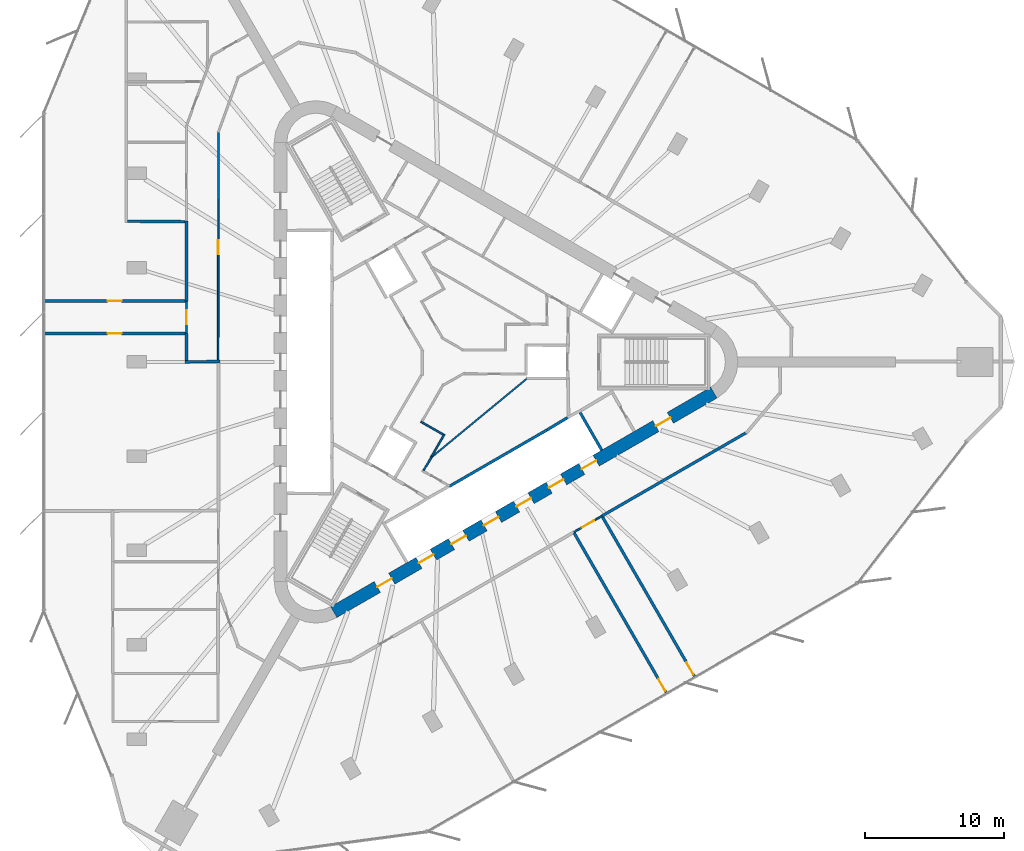
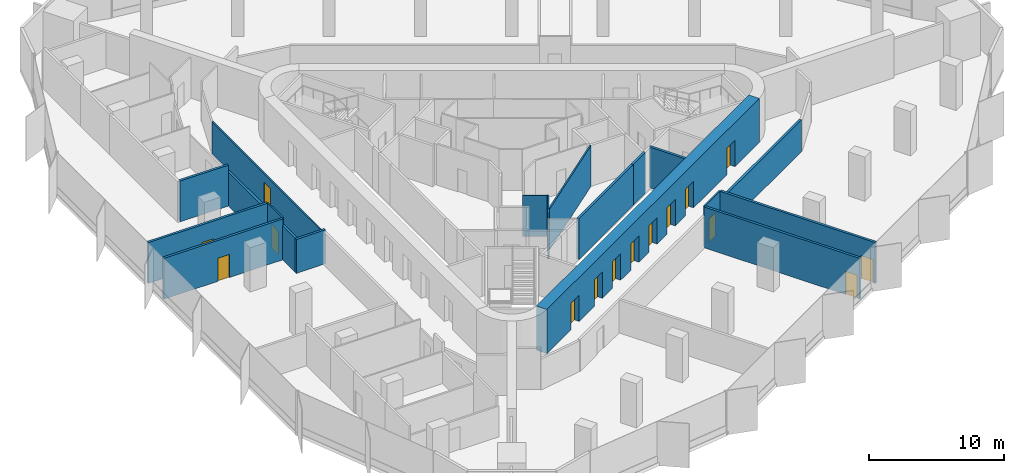
# One storey, part 9 of 14: 20 walls, 15 doors, 15 openings.
"""IFC4 building model written with IfcOpenShell, lengths in metres."""

from ifc_helpers import new_model, si_unit, direction, frame, frame_2d, origin, place, context, subcontext, project, spatial, rectangle, extrude, material, layer, layer_set, type_object, element, fill, save


model = new_model("IFC4")

# Units and contexts
model_context = context("Model", 3, precision=1e-05, world=origin(), true_north=direction((0.0, 1.0)))
body_context = subcontext(model_context, "Body", "Model", "MODEL_VIEW")
ifc_project = project(units=[si_unit("LENGTHUNIT", "METRE"), si_unit("AREAUNIT", "SQUARE_METRE"), si_unit("VOLUMEUNIT", "CUBIC_METRE"), si_unit("PLANEANGLEUNIT", "RADIAN"), si_unit("MASSUNIT", "GRAM", prefix="KILO")], contexts=[model_context])

# Site, building, storey
site_placement = place(None, origin())
site = spatial("IfcSite", under=ifc_project, at=site_placement, CompositionType="ELEMENT")
building_placement = place(site_placement, origin())
building = spatial("IfcBuilding", under=site, at=building_placement, Name="Tanit Gate Tower", CompositionType="ELEMENT")
storey_placement = place(building_placement, frame((0.0, 0.0, 229.199951171875)))
storey = spatial("IfcBuildingStorey", under=building, at=storey_placement, Name="L51", CompositionType="ELEMENT", Elevation=229.199951171875)

# Wall, openings, doors
ifc_material_1 = material(Name="Concrete C50/60", Category="concrete")
ifc_layer_1 = layer(ifc_material_1, 0.89990234375)
ifc_layer_set_1 = layer_set([ifc_layer_1], Name="CORE WALL 900 C50/60")
wall_type_1 = type_object("IfcWallType", Name="CORE WALL 900 C50/60", PredefinedType="SHEAR", material=ifc_layer_set_1)
wall_1_placement = place(storey_placement, frame((-7.824951171875, -17.969970703125, 0.0), z_axis=(0.0, 0.0, 1.0), x_axis=(0.866028369851, 0.499994862586, 0.0)))
wall_1 = element("IfcWall", 1, at=wall_1_placement, inside=storey, type_object=wall_type_1, Name="CORE WALL", PredefinedType="SHEAR", context=body_context, shape_type="SweptSolid", body=[
    extrude(rectangle(XDim=31.523193359375, YDim=0.89990234375, at=frame_2d((15.76171875, 0.0))), origin(), (0.0, 0.0, 1.0), 4.0),
])
opening_1_placement = place(wall_1_placement, frame((7.061767578125, 0.0, 0.0)))
opening_1 = element("IfcOpeningElement", 2, at=opening_1_placement, cuts=wall_1, Name="Opening LDSX1-S14", PredefinedType="OPENING", context=body_context, shape_type="SweptSolid", body=[
    extrude(rectangle(XDim=1.199951171875, YDim=2.39990234375, at=frame_2d((0.60009765625, 1.199951171875))), frame((0.0, 0.4599609375, 0.0), z_axis=(0.0, -1.0, 0.0), x_axis=(1.0, 0.0, 0.0)), (0.0, 0.0, 1.0), 0.919921875),
])
opening_2_placement = place(wall_1_placement, frame((9.76171875, 0.0, 0.0)))
opening_2 = element("IfcOpeningElement", 3, at=opening_2_placement, cuts=wall_1, Name="Opening LDSX2-S14", PredefinedType="OPENING", context=body_context, shape_type="SweptSolid", body=[
    extrude(rectangle(XDim=1.199951171875, YDim=2.39990234375, at=frame_2d((0.60009765625, 1.199951171875))), frame((0.0, 0.4599609375, 0.0), z_axis=(0.0, -1.0, 0.0), x_axis=(1.0, 0.0, 0.0)), (0.0, 0.0, 1.0), 0.919921875),
])
opening_3_placement = place(wall_1_placement, frame((12.461669921875, 0.0, 0.0)))
opening_3 = element("IfcOpeningElement", 4, at=opening_3_placement, cuts=wall_1, Name="Opening LDSX3-S14", PredefinedType="OPENING", context=body_context, shape_type="SweptSolid", body=[
    extrude(rectangle(XDim=1.199951171875, YDim=2.39990234375, at=frame_2d((0.60009765625, 1.199951171875))), frame((0.0, 0.4599609375, 0.0), z_axis=(0.0, -1.0, 0.0), x_axis=(1.0, 0.0, 0.0)), (0.0, 0.0, 1.0), 0.919921875),
])
opening_4_placement = place(wall_1_placement, frame((15.16162109375, 0.0, 0.0)))
opening_4 = element("IfcOpeningElement", 5, at=opening_4_placement, cuts=wall_1, Name="Opening LDSX4-S14", PredefinedType="OPENING", context=body_context, shape_type="SweptSolid", body=[
    extrude(rectangle(XDim=1.199951171875, YDim=2.39990234375, at=frame_2d((0.60009765625, 1.199951171875))), frame((0.0, 0.4599609375, 0.0), z_axis=(0.0, -1.0, 0.0), x_axis=(1.0, 0.0, 0.0)), (0.0, 0.0, 1.0), 0.919921875),
])
opening_5_placement = place(wall_1_placement, frame((17.861572265625, 0.0, 0.0)))
opening_5 = element("IfcOpeningElement", 6, at=opening_5_placement, cuts=wall_1, Name="Opening LDSV1-S14", PredefinedType="OPENING", context=body_context, shape_type="SweptSolid", body=[
    extrude(rectangle(XDim=1.199951171875, YDim=2.39990234375, at=frame_2d((0.60009765625, 1.199951171875))), frame((0.0, 0.4599609375, 0.0), z_axis=(0.0, -1.0, 0.0), x_axis=(1.0, 0.0, 0.0)), (0.0, 0.0, 1.0), 0.919921875),
])
opening_6_placement = place(wall_1_placement, frame((20.561767578125, 0.0, 0.0)))
opening_6 = element("IfcOpeningElement", 7, at=opening_6_placement, cuts=wall_1, Name="Opening LDSV2-S14", PredefinedType="OPENING", context=body_context, shape_type="SweptSolid", body=[
    extrude(rectangle(XDim=1.199951171875, YDim=2.39990234375, at=frame_2d((0.60009765625, 1.199951171875))), frame((0.0, 0.4599609375, 0.0), z_axis=(0.0, -1.0, 0.0), x_axis=(1.0, 0.0, 0.0)), (0.0, 0.0, 1.0), 0.919921875),
])
opening_7_placement = place(wall_1_placement, frame((26.711669921875, 0.0, 0.0)))
opening_7 = element("IfcOpeningElement", 8, at=opening_7_placement, cuts=wall_1, Name="Opening F12-S14-S1", PredefinedType="OPENING", context=body_context, shape_type="SweptSolid", body=[
    extrude(rectangle(XDim=1.199951171875, YDim=2.39990234375, at=frame_2d((0.60009765625, 1.199951171875))), frame((0.0, 0.4599609375, 0.0), z_axis=(0.0, -1.0, 0.0), x_axis=(1.0, 0.0, 0.0)), (0.0, 0.0, 1.0), 0.919921875),
])
opening_8_placement = place(wall_1_placement, frame((3.611572265625, 0.0, 0.0)))
opening_8 = element("IfcOpeningElement", 9, at=opening_8_placement, cuts=wall_1, Name="Opening F12-S14-FL3", PredefinedType="OPENING", context=body_context, shape_type="SweptSolid", body=[
    extrude(rectangle(XDim=1.199951171875, YDim=2.39990234375, at=frame_2d((0.60009765625, 1.199951171875))), frame((0.0, 0.4599609375, 0.0), z_axis=(0.0, -1.0, 0.0), x_axis=(1.0, 0.0, 0.0)), (0.0, 0.0, 1.0), 0.919921875),
])
ifc_material_2 = material(Name="Fire-rated steel door leaf", Category="steel")
door_type_1 = type_object("IfcDoorType", Name="INT-DOOR-FIRE-LOBBY-1200", OperationType="NOTDEFINED", PredefinedType="USERDEFINED", material=ifc_material_2)
door_1_placement = place(opening_7_placement, origin())
door_1 = element("IfcDoor", 10, at=door_1_placement, inside=storey, type_object=door_type_1, Name="Door F12-S14-S1", ObjectType="FIRE DOOR", OperationType="SINGLE_SWING_RIGHT", OverallHeight=2.39990234375, OverallWidth=1.199951171875, PredefinedType="USERDEFINED", context=body_context, shape_type="SweptSolid", body=[
    extrude(rectangle(XDim=1.199951171875, YDim=2.39990234375, at=frame_2d((0.60009765625, 1.199951171875))), frame((0.0, 0.02490234375, 0.0), z_axis=(0.0, -1.0, 0.0), x_axis=(1.0, 0.0, 0.0)), (0.0, 0.0, 1.0), 0.050048828125),
])
fill(opening_7, door_1)
door_2_placement = place(opening_8_placement, origin())
door_2 = element("IfcDoor", 11, at=door_2_placement, inside=storey, type_object=door_type_1, Name="Door F12-S14-FL3", ObjectType="FIRE DOOR", OperationType="SINGLE_SWING_RIGHT", OverallHeight=2.39990234375, OverallWidth=1.199951171875, PredefinedType="USERDEFINED", context=body_context, shape_type="SweptSolid", body=[
    extrude(rectangle(XDim=1.199951171875, YDim=2.39990234375, at=frame_2d((0.60009765625, 1.199951171875))), frame((0.0, 0.02490234375, 0.0), z_axis=(0.0, -1.0, 0.0), x_axis=(1.0, 0.0, 0.0)), (0.0, 0.0, 1.0), 0.050048828125),
])
fill(opening_8, door_2)
ifc_material_3 = material(Name="Stainless steel sliding door leaf", Category="steel")
door_type_2 = type_object("IfcDoorType", Name="INT-DOOR-LANDING-1200", OperationType="NOTDEFINED", PredefinedType="USERDEFINED", material=ifc_material_3)
door_3_placement = place(opening_1_placement, origin())
door_3 = element("IfcDoor", 12, at=door_3_placement, inside=storey, type_object=door_type_2, Name="Door LDSX1-S14", ObjectType="LANDING DOOR", OperationType="SLIDING_TO_LEFT", OverallHeight=2.39990234375, OverallWidth=1.199951171875, PredefinedType="USERDEFINED", context=body_context, shape_type="SweptSolid", body=[
    extrude(rectangle(XDim=1.199951171875, YDim=2.39990234375, at=frame_2d((0.60009765625, 1.199951171875))), frame((0.0, 0.02490234375, 0.0), z_axis=(0.0, -1.0, 0.0), x_axis=(1.0, 0.0, 0.0)), (0.0, 0.0, 1.0), 0.050048828125),
])
fill(opening_1, door_3)
door_4_placement = place(opening_2_placement, origin())
door_4 = element("IfcDoor", 13, at=door_4_placement, inside=storey, type_object=door_type_2, Name="Door LDSX2-S14", ObjectType="LANDING DOOR", OperationType="SLIDING_TO_LEFT", OverallHeight=2.39990234375, OverallWidth=1.199951171875, PredefinedType="USERDEFINED", context=body_context, shape_type="SweptSolid", body=[
    extrude(rectangle(XDim=1.199951171875, YDim=2.39990234375, at=frame_2d((0.60009765625, 1.199951171875))), frame((0.0, 0.02490234375, 0.0), z_axis=(0.0, -1.0, 0.0), x_axis=(1.0, 0.0, 0.0)), (0.0, 0.0, 1.0), 0.050048828125),
])
fill(opening_2, door_4)
door_5_placement = place(opening_3_placement, origin())
door_5 = element("IfcDoor", 14, at=door_5_placement, inside=storey, type_object=door_type_2, Name="Door LDSX3-S14", ObjectType="LANDING DOOR", OperationType="SLIDING_TO_LEFT", OverallHeight=2.39990234375, OverallWidth=1.199951171875, PredefinedType="USERDEFINED", context=body_context, shape_type="SweptSolid", body=[
    extrude(rectangle(XDim=1.199951171875, YDim=2.39990234375, at=frame_2d((0.60009765625, 1.199951171875))), frame((0.0, 0.02490234375, 0.0), z_axis=(0.0, -1.0, 0.0), x_axis=(1.0, 0.0, 0.0)), (0.0, 0.0, 1.0), 0.050048828125),
])
fill(opening_3, door_5)
door_6_placement = place(opening_4_placement, origin())
door_6 = element("IfcDoor", 15, at=door_6_placement, inside=storey, type_object=door_type_2, Name="Door LDSX4-S14", ObjectType="LANDING DOOR", OperationType="SLIDING_TO_LEFT", OverallHeight=2.39990234375, OverallWidth=1.199951171875, PredefinedType="USERDEFINED", context=body_context, shape_type="SweptSolid", body=[
    extrude(rectangle(XDim=1.199951171875, YDim=2.39990234375, at=frame_2d((0.60009765625, 1.199951171875))), frame((0.0, 0.02490234375, 0.0), z_axis=(0.0, -1.0, 0.0), x_axis=(1.0, 0.0, 0.0)), (0.0, 0.0, 1.0), 0.050048828125),
])
fill(opening_4, door_6)
door_7_placement = place(opening_5_placement, origin())
door_7 = element("IfcDoor", 16, at=door_7_placement, inside=storey, type_object=door_type_2, Name="Door LDSV1-S14", ObjectType="LANDING DOOR", OperationType="SLIDING_TO_LEFT", OverallHeight=2.39990234375, OverallWidth=1.199951171875, PredefinedType="USERDEFINED", context=body_context, shape_type="SweptSolid", body=[
    extrude(rectangle(XDim=1.199951171875, YDim=2.39990234375, at=frame_2d((0.60009765625, 1.199951171875))), frame((0.0, 0.02490234375, 0.0), z_axis=(0.0, -1.0, 0.0), x_axis=(1.0, 0.0, 0.0)), (0.0, 0.0, 1.0), 0.050048828125),
])
fill(opening_5, door_7)
door_8_placement = place(opening_6_placement, origin())
door_8 = element("IfcDoor", 17, at=door_8_placement, inside=storey, type_object=door_type_2, Name="Door LDSV2-S14", ObjectType="LANDING DOOR", OperationType="SLIDING_TO_LEFT", OverallHeight=2.39990234375, OverallWidth=1.199951171875, PredefinedType="USERDEFINED", context=body_context, shape_type="SweptSolid", body=[
    extrude(rectangle(XDim=1.199951171875, YDim=2.39990234375, at=frame_2d((0.60009765625, 1.199951171875))), frame((0.0, 0.02490234375, 0.0), z_axis=(0.0, -1.0, 0.0), x_axis=(1.0, 0.0, 0.0)), (0.0, 0.0, 1.0), 0.050048828125),
])
fill(opening_6, door_8)

# Walls
ifc_material_4 = material(Name="Fire-rated gypsum board partition")
ifc_layer_2 = layer(ifc_material_4, 0.199951171875)
ifc_layer_set_2 = layer_set([ifc_layer_2], Name="INT-WALL-COMPARTMENT")
wall_type_2 = type_object("IfcWallType", Name="INT-WALL-COMPARTMENT", PredefinedType="PARTITIONING", material=ifc_layer_set_2)
wall_2_placement = place(storey_placement, frame((-18.5, -0.001220703125, 0.0), z_axis=(0.0, 0.0, 1.0), x_axis=(0.999915662945, 0.012987185857, 0.0)))
element("IfcWall", 18, at=wall_2_placement, inside=storey, type_object=wall_type_2, Name="Wall Compartment W094", PredefinedType="PARTITIONING", context=body_context, shape_type="SweptSolid", body=[
    extrude(rectangle(XDim=2.500244140625, YDim=0.199951171875, at=frame_2d((1.25, 0.0))), origin(), (0.0, 0.0, 1.0), 3.070068359375),
])
wall_3_placement = place(storey_placement, frame((-18.39990234375, 10.1298828125, 0.0), z_axis=(0.0, 0.0, 1.0), x_axis=(0.0, -1.0, 0.0)))
element("IfcWall", 19, at=wall_3_placement, inside=storey, type_object=wall_type_2, Name="Wall Compartment W096", PredefinedType="PARTITIONING", context=body_context, shape_type="SweptSolid", body=[
    extrude(rectangle(XDim=5.77978515625, YDim=0.199951171875, at=frame_2d((2.889892578125, 0.0))), origin(), (0.0, 0.0, 1.0), 3.070068359375),
])
wall_4_placement = place(storey_placement, frame((-18.39990234375, 2.050048828125, 0.0), z_axis=(0.0, 0.0, 1.0), x_axis=(0.0, -1.0, 0.0)))
element("IfcWall", 20, at=wall_4_placement, inside=storey, type_object=wall_type_2, Name="Wall Compartment W095", PredefinedType="PARTITIONING", context=body_context, shape_type="SweptSolid", body=[
    extrude(rectangle(XDim=1.949951171875, YDim=0.199951171875, at=frame_2d((0.97509765625, 0.0))), origin(), (0.0, 0.0, 1.0), 3.070068359375),
])
wall_5_placement = place(storey_placement, frame((11.417236328125, -11.0751953125, 0.0), z_axis=(0.0, 0.0, 1.0), x_axis=(0.866027793211, 0.49999586137, 0.0)))
element("IfcWall", 21, at=wall_5_placement, inside=storey, type_object=wall_type_2, Name="Wall Compartment W118", PredefinedType="PARTITIONING", context=body_context, shape_type="SweptSolid", body=[
    extrude(rectangle(XDim=11.955078125, YDim=0.199951171875, at=frame_2d((5.9775390625, 0.0))), origin(), (0.0, 0.0, 1.0), 2.880126953125),
])

# Wall, opening, door
wall_6_placement = place(storey_placement, frame((-28.6552734375, 2.030029296875, 0.0), z_axis=(0.0, 0.0, 1.0), x_axis=(1.0, 0.0, 0.0)))
wall_6 = element("IfcWall", 22, at=wall_6_placement, inside=storey, type_object=wall_type_2, Name="Wall Compartment W123", PredefinedType="PARTITIONING", context=body_context, shape_type="SweptSolid", body=[
    extrude(rectangle(XDim=10.1953125, YDim=0.199951171875, at=frame_2d((5.09765625, 0.0))), origin(), (0.0, 0.0, 1.0), 3.699951171875),
])
opening_9_placement = place(wall_6_placement, frame((4.59765625, 0.0, 0.0)))
opening_9 = element("IfcOpeningElement", 23, at=opening_9_placement, cuts=wall_6, Name="Opening F10-S14-32", PredefinedType="OPENING", context=body_context, shape_type="SweptSolid", body=[
    extrude(rectangle(XDim=1.0, YDim=2.10009765625, at=frame_2d((0.5, 1.050048828125))), frame((0.0, 0.10986328125, 0.0), z_axis=(0.0, -1.0, 0.0), x_axis=(1.0, 0.0, 0.0)), (0.0, 0.0, 1.0), 0.219970703125),
])
ifc_material_5 = material(Name="Fire-rated steel door leaf", Category="steel")
door_type_3 = type_object("IfcDoorType", Name="INT-DOOR-FIRE-1000", OperationType="NOTDEFINED", PredefinedType="USERDEFINED", material=ifc_material_5)
door_9_placement = place(opening_9_placement, origin())
door_9 = element("IfcDoor", 24, at=door_9_placement, inside=storey, type_object=door_type_3, Name="Door F10-S14-32", ObjectType="FIRE DOOR", OperationType="SINGLE_SWING_LEFT", OverallHeight=2.10009765625, OverallWidth=1.0, PredefinedType="USERDEFINED", context=body_context, shape_type="SweptSolid", body=[
    extrude(rectangle(XDim=1.0, YDim=2.10009765625, at=frame_2d((0.5, 1.050048828125))), frame((0.0, 0.02490234375, 0.0), z_axis=(0.0, -1.0, 0.0), x_axis=(1.0, 0.0, 0.0)), (0.0, 0.0, 1.0), 0.050048828125),
])
fill(opening_9, door_9)

wall_7_placement = place(storey_placement, frame((-18.4599609375, 4.3701171875, 0.0), z_axis=(0.0, 0.0, 1.0), x_axis=(-1.0, 0.0, 0.0)))
wall_7 = element("IfcWall", 25, at=wall_7_placement, inside=storey, type_object=wall_type_2, Name="Wall Compartment W124", PredefinedType="PARTITIONING", context=body_context, shape_type="SweptSolid", body=[
    extrude(rectangle(XDim=10.195556640625, YDim=0.199951171875, at=frame_2d((5.09765625, 0.0))), origin(), (0.0, 0.0, 1.0), 3.699951171875),
])
opening_10_placement = place(wall_7_placement, frame((4.59765625, 0.0, 0.0)))
opening_10 = element("IfcOpeningElement", 26, at=opening_10_placement, cuts=wall_7, Name="Opening F10-S14-33", PredefinedType="OPENING", context=body_context, shape_type="SweptSolid", body=[
    extrude(rectangle(XDim=1.0, YDim=2.10009765625, at=frame_2d((0.5, 1.050048828125))), frame((0.0, 0.10986328125, 0.0), z_axis=(0.0, -1.0, 0.0), x_axis=(1.0, 0.0, 0.0)), (0.0, 0.0, 1.0), 0.219970703125),
])
door_10_placement = place(opening_10_placement, origin())
door_10 = element("IfcDoor", 27, at=door_10_placement, inside=storey, type_object=door_type_3, Name="Door F10-S14-33", ObjectType="FIRE DOOR", OperationType="SINGLE_SWING_RIGHT", OverallHeight=2.10009765625, OverallWidth=1.0, PredefinedType="USERDEFINED", context=body_context, shape_type="SweptSolid", body=[
    extrude(rectangle(XDim=1.0, YDim=2.10009765625, at=frame_2d((0.5, 1.050048828125))), frame((0.0, 0.02490234375, 0.0), z_axis=(0.0, -1.0, 0.0), x_axis=(1.0, 0.0, 0.0)), (0.0, 0.0, 1.0), 0.050048828125),
])
fill(opening_10, door_10)

# Wall
wall_8_placement = place(storey_placement, frame((-22.6298828125, 10.099365234375, 0.0), z_axis=(0.0, 0.0, 1.0), x_axis=(0.999976081673, -0.006916363298, 0.0)))
element("IfcWall", 28, at=wall_8_placement, inside=storey, type_object=wall_type_2, Name="Wall Compartment W140", PredefinedType="PARTITIONING", context=body_context, shape_type="SweptSolid", body=[
    extrude(rectangle(XDim=4.1298828125, YDim=0.199951171875, at=frame_2d((2.06494140625, 0.0))), origin(), (0.0, 0.0, 1.0), 3.699951171875),
])

# Wall, opening, door
wall_9_placement = place(storey_placement, frame((18.11181640625, -22.630859375, 0.0), z_axis=(0.0, 0.0, 1.0), x_axis=(-0.499988448798, 0.866032072771, 0.0)))
wall_9 = element("IfcWall", 29, at=wall_9_placement, inside=storey, type_object=wall_type_2, Name="Wall Compartment W150", PredefinedType="PARTITIONING", context=body_context, shape_type="SweptSolid", body=[
    extrude(rectangle(XDim=13.294677734375, YDim=0.199951171875, at=frame_2d((6.6474609375, 0.0))), origin(), (0.0, 0.0, 1.0), 3.699951171875),
])
opening_11_placement = place(wall_9_placement, frame((0.199951171875, 0.0, 0.0)))
opening_11 = element("IfcOpeningElement", 30, at=opening_11_placement, cuts=wall_9, Name="Opening F10-S14-36", PredefinedType="OPENING", context=body_context, shape_type="SweptSolid", body=[
    extrude(rectangle(XDim=1.0, YDim=2.10009765625, at=frame_2d((0.5, 1.050048828125))), frame((0.0, 0.10986328125, 0.0), z_axis=(0.0, -1.0, 0.0), x_axis=(1.0, 0.0, 0.0)), (0.0, 0.0, 1.0), 0.219970703125),
])
door_11_placement = place(opening_11_placement, origin())
door_11 = element("IfcDoor", 31, at=door_11_placement, inside=storey, type_object=door_type_3, Name="Door F10-S14-36", ObjectType="FIRE DOOR", OperationType="SINGLE_SWING_LEFT", OverallHeight=2.10009765625, OverallWidth=1.0, PredefinedType="USERDEFINED", context=body_context, shape_type="SweptSolid", body=[
    extrude(rectangle(XDim=1.0, YDim=2.10009765625, at=frame_2d((0.5, 1.050048828125))), frame((0.0, 0.02490234375, 0.0), z_axis=(0.0, -1.0, 0.0), x_axis=(1.0, 0.0, 0.0)), (0.0, 0.0, 1.0), 0.050048828125),
])
fill(opening_11, door_11)

wall_10_placement = place(storey_placement, frame((9.43798828125, -12.287109375, 0.0), z_axis=(0.0, 0.0, 1.0), x_axis=(0.499994270035, -0.866028711956, 0.0)))
wall_10 = element("IfcWall", 32, at=wall_10_placement, inside=storey, type_object=wall_type_2, Name="Wall Compartment W151", PredefinedType="PARTITIONING", context=body_context, shape_type="SweptSolid", body=[
    extrude(rectangle(XDim=13.295166015625, YDim=0.199951171875, at=frame_2d((6.6474609375, 0.0))), origin(), (0.0, 0.0, 1.0), 3.699951171875),
])
opening_12_placement = place(wall_10_placement, frame((12.094970703125, 0.0, 0.0)))
opening_12 = element("IfcOpeningElement", 33, at=opening_12_placement, cuts=wall_10, Name="Opening F10-S14-37", PredefinedType="OPENING", context=body_context, shape_type="SweptSolid", body=[
    extrude(rectangle(XDim=1.0, YDim=2.10009765625, at=frame_2d((0.5, 1.050048828125))), frame((0.0, 0.10986328125, 0.0), z_axis=(0.0, -1.0, 0.0), x_axis=(1.0, 0.0, 0.0)), (0.0, 0.0, 1.0), 0.219970703125),
])
door_12_placement = place(opening_12_placement, origin())
door_12 = element("IfcDoor", 34, at=door_12_placement, inside=storey, type_object=door_type_3, Name="Door F10-S14-37", ObjectType="FIRE DOOR", OperationType="SINGLE_SWING_LEFT", OverallHeight=2.10009765625, OverallWidth=1.0, PredefinedType="USERDEFINED", context=body_context, shape_type="SweptSolid", body=[
    extrude(rectangle(XDim=1.0, YDim=2.10009765625, at=frame_2d((0.5, 1.050048828125))), frame((0.0, 0.02490234375, 0.0), z_axis=(0.0, -1.0, 0.0), x_axis=(1.0, 0.0, 0.0)), (0.0, 0.0, 1.0), 0.050048828125),
])
fill(opening_12, door_12)

# Walls
ifc_material_6 = material(Name="Gypsum board partition")
ifc_layer_3 = layer(ifc_material_6, 0.1201171875)
ifc_layer_set_3 = layer_set([ifc_layer_3], Name="INT-WALL-PARTITION")
wall_type_3 = type_object("IfcWallType", Name="INT-WALL-PARTITION", PredefinedType="PARTITIONING", material=ifc_layer_set_3)
wall_11_placement = place(storey_placement, frame((6.04638671875, -1.199951171875, 0.0), z_axis=(0.0, 0.0, 1.0), x_axis=(-0.771489624803, -0.636241902755, 0.0)))
element("IfcWall", 35, at=wall_11_placement, inside=storey, type_object=wall_type_3, Name="Wall Partition W070", PredefinedType="PARTITIONING", context=body_context, shape_type="SweptSolid", body=[
    extrude(rectangle(XDim=8.960693359375, YDim=0.1201171875, at=frame_2d((4.48046875, 0.0))), origin(), (0.0, 0.0, 1.0), 3.699951171875),
])
wall_12_placement = place(storey_placement, frame((-0.78662109375, -6.8212890625, 0.0), z_axis=(0.0, 0.0, 1.0), x_axis=(-0.521033983049, -0.853535932758, 0.0)))
element("IfcWall", 36, at=wall_12_placement, inside=storey, type_object=wall_type_3, Name="Wall Partition W072", PredefinedType="PARTITIONING", context=body_context, shape_type="SweptSolid", body=[
    extrude(rectangle(XDim=1.1396484375, YDim=0.1201171875, at=frame_2d((0.56982421875, 0.0))), origin(), (0.0, 0.0, 1.0), 3.699951171875),
])
wall_13_placement = place(storey_placement, frame((0.1181640625, -5.195068359375, 0.0), z_axis=(0.0, 0.0, 1.0), x_axis=(-0.499969367985, -0.866043088465, 0.0)))
element("IfcWall", 37, at=wall_13_placement, inside=storey, type_object=wall_type_3, Name="Wall Partition W073", PredefinedType="PARTITIONING", context=body_context, shape_type="SweptSolid", body=[
    extrude(rectangle(XDim=1.93994140625, YDim=0.1201171875, at=frame_2d((0.969970703125, 0.0))), origin(), (0.0, 0.0, 1.0), 3.699951171875),
])
wall_14_placement = place(storey_placement, frame((-1.56591796875, -4.292236328125, 0.0), z_axis=(0.0, 0.0, 1.0), x_axis=(0.866091100096, -0.499886193382, 0.0)))
element("IfcWall", 38, at=wall_14_placement, inside=storey, type_object=wall_type_3, Name="Wall Partition W074", PredefinedType="PARTITIONING", context=body_context, shape_type="SweptSolid", body=[
    extrude(rectangle(XDim=1.85009765625, YDim=0.1201171875, at=frame_2d((0.925048828125, 0.0))), origin(), (0.0, 0.0, 1.0), 3.699951171875),
])

# Wall, opening, door
wall_15_placement = place(storey_placement, frame((-16.10009765625, 16.486328125, 0.0), z_axis=(0.0, 0.0, 1.0), x_axis=(-0.00180665503, -0.999998367997, 0.0)))
wall_15 = element("IfcWall", 39, at=wall_15_placement, inside=storey, type_object=wall_type_3, Name="Wall Partition W092", PredefinedType="PARTITIONING", context=body_context, shape_type="SweptSolid", body=[
    extrude(rectangle(XDim=16.486328125, YDim=0.1201171875, at=frame_2d((8.2431640625, 0.0))), origin(), (0.0, 0.0, 1.0), 2.880126953125),
])
opening_13_placement = place(wall_15_placement, frame((7.7431640625, 0.0, 0.0)))
opening_13 = element("IfcOpeningElement", 40, at=opening_13_placement, cuts=wall_15, Name="Opening D10-S14-19", PredefinedType="OPENING", context=body_context, shape_type="SweptSolid", body=[
    extrude(rectangle(XDim=1.0, YDim=2.10009765625, at=frame_2d((0.5, 1.050048828125))), frame((0.0, 0.070068359375, 0.0), z_axis=(0.0, -1.0, 0.0), x_axis=(1.0, 0.0, 0.0)), (0.0, 0.0, 1.0), 0.14013671875),
])
ifc_material_7 = material(Name="Timber door leaf", Category="wood")
door_type_4 = type_object("IfcDoorType", Name="INT-DOOR-SINGLE-1000", OperationType="NOTDEFINED", PredefinedType="NOTDEFINED", material=ifc_material_7)
door_13_placement = place(opening_13_placement, origin())
door_13 = element("IfcDoor", 41, at=door_13_placement, inside=storey, type_object=door_type_4, Name="Door D10-S14-19", OperationType="SINGLE_SWING_RIGHT", OverallHeight=2.10009765625, OverallWidth=1.0, PredefinedType="NOTDEFINED", context=body_context, shape_type="SweptSolid", body=[
    extrude(rectangle(XDim=1.0, YDim=2.10009765625, at=frame_2d((0.5, 1.050048828125))), frame((0.0, 0.02490234375, 0.0), z_axis=(0.0, -1.0, 0.0), x_axis=(1.0, 0.0, 0.0)), (0.0, 0.0, 1.0), 0.050048828125),
])
fill(opening_13, door_13)

wall_16_placement = place(storey_placement, frame((-18.39990234375, 4.35009765625, 0.0), z_axis=(0.0, 0.0, 1.0), x_axis=(0.0, -1.0, 0.0)))
wall_16 = element("IfcWall", 42, at=wall_16_placement, inside=storey, type_object=wall_type_3, Name="Wall Partition W093", PredefinedType="PARTITIONING", context=body_context, shape_type="SweptSolid", body=[
    extrude(rectangle(XDim=2.300048828125, YDim=0.1201171875, at=frame_2d((1.14990234375, 0.0))), origin(), (0.0, 0.0, 1.0), 3.699951171875),
])
opening_14_placement = place(wall_16_placement, frame((0.64990234375, 0.0, 0.0)))
opening_14 = element("IfcOpeningElement", 43, at=opening_14_placement, cuts=wall_16, Name="Opening D10-S14-20", PredefinedType="OPENING", context=body_context, shape_type="SweptSolid", body=[
    extrude(rectangle(XDim=1.0, YDim=2.10009765625, at=frame_2d((0.5, 1.050048828125))), frame((0.0, 0.070068359375, 0.0), z_axis=(0.0, -1.0, 0.0), x_axis=(1.0, 0.0, 0.0)), (0.0, 0.0, 1.0), 0.14013671875),
])
door_14_placement = place(opening_14_placement, origin())
door_14 = element("IfcDoor", 44, at=door_14_placement, inside=storey, type_object=door_type_4, Name="Door D10-S14-20", OperationType="SINGLE_SWING_RIGHT", OverallHeight=2.10009765625, OverallWidth=1.0, PredefinedType="NOTDEFINED", context=body_context, shape_type="SweptSolid", body=[
    extrude(rectangle(XDim=1.0, YDim=2.10009765625, at=frame_2d((0.5, 1.050048828125))), frame((0.0, 0.02490234375, 0.0), z_axis=(0.0, -1.0, 0.0), x_axis=(1.0, 0.0, 0.0)), (0.0, 0.0, 1.0), 0.050048828125),
])
fill(opening_14, door_14)

wall_17_placement = place(storey_placement, frame((9.42529296875, -12.22509765625, 0.0), z_axis=(0.0, 0.0, 1.0), x_axis=(0.866053019151, 0.499952165731, 0.0)))
wall_17 = element("IfcWall", 45, at=wall_17_placement, inside=storey, type_object=wall_type_3, Name="Wall Partition W115", PredefinedType="PARTITIONING", context=body_context, shape_type="SweptSolid", body=[
    extrude(rectangle(XDim=2.300048828125, YDim=0.1201171875, at=frame_2d((1.14990234375, 0.0))), origin(), (0.0, 0.0, 1.0), 3.699951171875),
])
opening_15_placement = place(wall_17_placement, frame((0.64990234375, 0.0, 0.0)))
opening_15 = element("IfcOpeningElement", 46, at=opening_15_placement, cuts=wall_17, Name="Opening D10-S14-22", PredefinedType="OPENING", context=body_context, shape_type="SweptSolid", body=[
    extrude(rectangle(XDim=1.0, YDim=2.10009765625, at=frame_2d((0.5, 1.050048828125))), frame((0.0, 0.070068359375, 0.0), z_axis=(0.0, -1.0, 0.0), x_axis=(1.0, 0.0, 0.0)), (0.0, 0.0, 1.0), 0.14013671875),
])
door_15_placement = place(opening_15_placement, origin())
door_15 = element("IfcDoor", 47, at=door_15_placement, inside=storey, type_object=door_type_4, Name="Door D10-S14-22", OperationType="SINGLE_SWING_RIGHT", OverallHeight=2.10009765625, OverallWidth=1.0, PredefinedType="NOTDEFINED", context=body_context, shape_type="SweptSolid", body=[
    extrude(rectangle(XDim=1.0, YDim=2.10009765625, at=frame_2d((0.5, 1.050048828125))), frame((0.0, 0.02490234375, 0.0), z_axis=(0.0, -1.0, 0.0), x_axis=(1.0, 0.0, 0.0)), (0.0, 0.0, 1.0), 0.050048828125),
])
fill(opening_15, door_15)

# Walls
ifc_material_8 = material(Name="Gypsum shaft wall system")
ifc_layer_4 = layer(ifc_material_8, 0.199951171875)
ifc_layer_set_4 = layer_set([ifc_layer_4], Name="INT-WALL-SHAFT")
wall_type_4 = type_object("IfcWallType", Name="INT-WALL-SHAFT", PredefinedType="PLUMBINGWALL", material=ifc_layer_set_4)
wall_18_placement = place(storey_placement, frame((0.482666015625, -8.935791015625, 0.0), z_axis=(0.0, 0.0, 1.0), x_axis=(0.866030989016, 0.499990325971, 0.0)))
element("IfcWall", 48, at=wall_18_placement, inside=storey, type_object=wall_type_4, Name="Wall Shaft W023", PredefinedType="PLUMBINGWALL", context=body_context, shape_type="SweptSolid", body=[
    extrude(rectangle(XDim=8.099853515625, YDim=0.199951171875, at=frame_2d((4.0498046875, 0.0))), origin(), (0.0, 0.0, 1.0), 3.699951171875),
])
wall_19_placement = place(storey_placement, frame((9.794677734375, -3.52490234375, 0.0), z_axis=(0.0, 0.0, 1.0), x_axis=(0.499984717929, -0.866034226713, 0.0)))
element("IfcWall", 49, at=wall_19_placement, inside=storey, type_object=wall_type_4, Name="Wall Shaft W016", PredefinedType="PLUMBINGWALL", context=body_context, shape_type="SweptSolid", body=[
    extrude(rectangle(XDim=3.25, YDim=0.199951171875, at=frame_2d((1.625, 0.0))), origin(), (0.0, 0.0, 1.0), 3.699951171875),
])
wall_20_placement = place(storey_placement, frame((7.497314453125, -4.885986328125, 0.0), z_axis=(0.0, 0.0, 1.0), x_axis=(0.857516281273, 0.51445682749, 0.0)))
element("IfcWall", 50, at=wall_20_placement, inside=storey, type_object=wall_type_4, Name="Wall Shaft W018", PredefinedType="PLUMBINGWALL", context=body_context, shape_type="SweptSolid", body=[
    extrude(rectangle(XDim=1.8447265625, YDim=0.199951171875, at=frame_2d((0.92236328125, 0.0))), origin(), (0.0, 0.0, 1.0), 3.699951171875),
])

save(model, "model.ifc")
